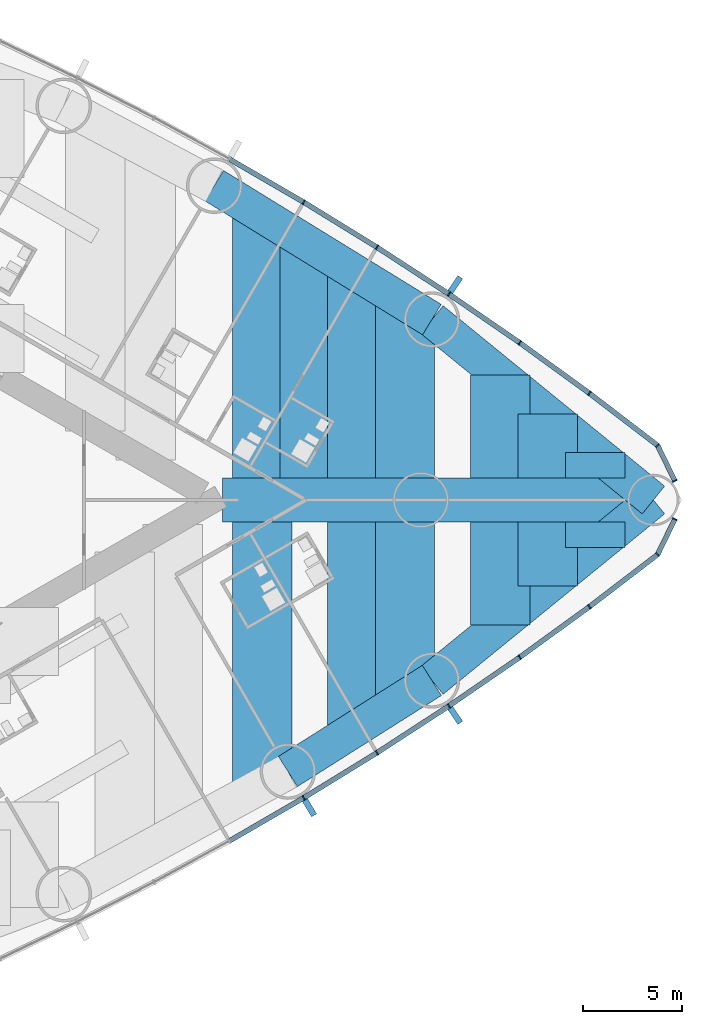
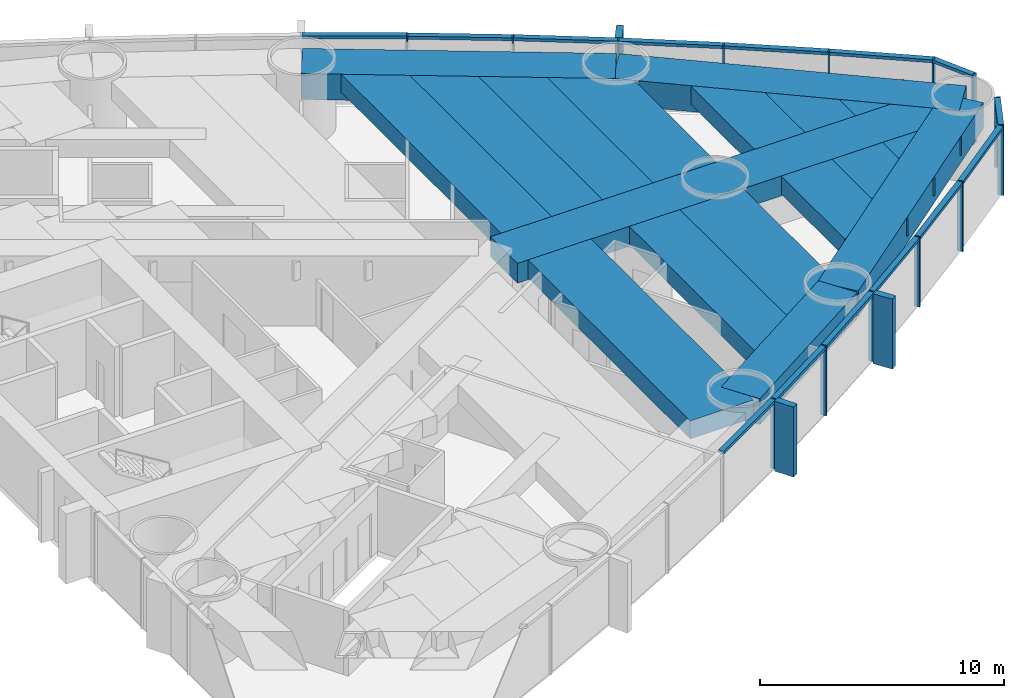
# One storey, part 8 of 19: 31 members, 18 beams, 2 elements without a shape of their own.
"""IFC4 building model written with IfcOpenShell, lengths in metres."""

from ifc_helpers import new_model, si_unit, direction, frame, origin, origin_2d, place, context, subcontext, project, spatial, rectangle, extrude, material, material_profile, profile_set, type_object, element, aggregate, save


model = new_model("IFC4")

# Units and contexts
model_context = context("Model", 3, precision=1e-05, world=origin(), true_north=direction((0.0, 1.0)))
body_context = subcontext(model_context, "Body", "Model", "MODEL_VIEW")
ifc_project = project(units=[si_unit("LENGTHUNIT", "METRE"), si_unit("AREAUNIT", "SQUARE_METRE"), si_unit("VOLUMEUNIT", "CUBIC_METRE"), si_unit("PLANEANGLEUNIT", "RADIAN"), si_unit("MASSUNIT", "GRAM", prefix="KILO")], contexts=[model_context])

# Site, building, storey
site_placement = place(None, origin())
site = spatial("IfcSite", under=ifc_project, at=site_placement, CompositionType="ELEMENT")
building_placement = place(site_placement, origin())
building = spatial("IfcBuilding", under=site, at=building_placement, Name="Lancet Gate Hotel", CompositionType="ELEMENT")
storey_placement = place(building_placement, frame((0.0, 0.0, 18.0)))
storey = spatial("IfcBuildingStorey", under=building, at=storey_placement, Name="L03", CompositionType="ELEMENT", Elevation=18.0)

# Curtain wall, members
ifc_material_1 = material(Name="Aluminium curtain wall", Category="aluminium")
curtain_wall_type = type_object("IfcCurtainWallType", Name="Tower unitised curtain wall", PredefinedType="USERDEFINED", material=ifc_material_1)
curtain_wall_1_placement = place(storey_placement, origin())
curtain_wall_1 = element("IfcCurtainWall", 1, at=curtain_wall_1_placement, inside=storey, type_object=curtain_wall_type, Name="T2 L03 curtain wall 2", ObjectType="UNITISED CURTAIN WALL", PredefinedType="USERDEFINED")
ifc_material_2 = material(Name="Aluminium mullion", Category="aluminium")
ifc_material_profile_1 = material_profile(ifc_material_2, rectangle(XDim=0.06494140625, YDim=0.25, at=origin_2d()), Name="MULLION 65x250")
ifc_profile_set_1 = profile_set([ifc_material_profile_1], Name="Aluminium mullion")
member_type_1 = type_object("IfcMemberType", Name="Aluminium mullion 65x250", PredefinedType="MULLION", material=ifc_profile_set_1)
member_1_placement = place(storey_placement, frame((55.590087890625, -15.03125, 0.0), z_axis=(0.0, 0.0, 1.0), x_axis=(0.858413008828, 0.512959166284, 0.0)))
member_1 = element("IfcMember", 2, at=member_1_placement, type_object=member_type_1, Name="T2 L03 curtain wall 2 mullion 8", PredefinedType="MULLION", context=body_context, shape_type="SweptSolid", body=[
    extrude(rectangle(XDim=0.06494140625, YDim=0.25, at=origin_2d()), origin(), (0.0, 0.0, 1.0), 3.5),
])
member_2_placement = place(storey_placement, frame((59.28515625, -12.7587890625, 0.0), z_axis=(0.0, 0.0, 1.0), x_axis=(0.845079420983, 0.534640788035, 0.0)))
member_2 = element("IfcMember", 3, at=member_2_placement, type_object=member_type_1, Name="T2 L03 curtain wall 2 mullion 9", PredefinedType="MULLION", context=body_context, shape_type="SweptSolid", body=[
    extrude(rectangle(XDim=0.06494140625, YDim=0.25, at=origin_2d()), origin(), (0.0, 0.0, 1.0), 3.5),
])
member_3_placement = place(storey_placement, frame((62.921142578125, -10.393310546875, 0.0), z_axis=(0.0, 0.0, 1.0), x_axis=(0.831198325377, 0.555976028162, 0.0)))
member_3 = element("IfcMember", 4, at=member_3_placement, type_object=member_type_1, Name="T2 L03 curtain wall 2 mullion 10", PredefinedType="MULLION", context=body_context, shape_type="SweptSolid", body=[
    extrude(rectangle(XDim=0.06494140625, YDim=0.25, at=origin_2d()), origin(), (0.0, 0.0, 1.0), 3.5),
])
member_4_placement = place(storey_placement, frame((66.49560546875, -7.935791015625, 0.0), z_axis=(0.0, 0.0, 1.0), x_axis=(0.816778715254, 0.576951064049, 0.0)))
member_4 = element("IfcMember", 5, at=member_4_placement, type_object=member_type_1, Name="T2 L03 curtain wall 2 mullion 11", PredefinedType="MULLION", context=body_context, shape_type="SweptSolid", body=[
    extrude(rectangle(XDim=0.06494140625, YDim=0.25, at=origin_2d()), origin(), (0.0, 0.0, 1.0), 3.5),
])
member_5_placement = place(storey_placement, frame((70.00634765625, -5.388427734375, 0.0), z_axis=(0.0, 0.0, 1.0), x_axis=(0.801829932754, 0.597552306447, 0.0)))
member_5 = element("IfcMember", 6, at=member_5_placement, type_object=member_type_1, Name="T2 L03 curtain wall 2 mullion 12", PredefinedType="MULLION", context=body_context, shape_type="SweptSolid", body=[
    extrude(rectangle(XDim=0.06494140625, YDim=0.25, at=origin_2d()), origin(), (0.0, 0.0, 1.0), 3.5),
])
member_6_placement = place(storey_placement, frame((73.451416015625, -2.752197265625, 0.0), z_axis=(0.0, 0.0, 1.0), x_axis=(0.697983022443, 0.716114306784, 0.0)))
member_6 = element("IfcMember", 7, at=member_6_placement, type_object=member_type_1, Name="T2 L03 curtain wall 2 mullion 13", PredefinedType="MULLION", context=body_context, shape_type="SweptSolid", body=[
    extrude(rectangle(XDim=0.06494140625, YDim=0.25, at=origin_2d()), origin(), (0.0, 0.0, 1.0), 3.5),
])
member_7_placement = place(storey_placement, frame((74.322265625, -0.96044921875, 0.0), z_axis=(0.0, 0.0, 1.0), x_axis=(0.437169070119, 0.899379343843, 0.0)))
member_7 = element("IfcMember", 8, at=member_7_placement, type_object=member_type_1, Name="T2 L03 curtain wall 2 mullion 14", PredefinedType="MULLION", context=body_context, shape_type="SweptSolid", body=[
    extrude(rectangle(XDim=0.06494140625, YDim=0.25, at=origin_2d()), origin(), (0.0, 0.0, 1.0), 3.5),
])

curtain_wall_2_placement = place(storey_placement, origin())
curtain_wall_2 = element("IfcCurtainWall", 9, at=curtain_wall_2_placement, inside=storey, type_object=curtain_wall_type, Name="T2 L03 curtain wall 3", ObjectType="UNITISED CURTAIN WALL", PredefinedType="USERDEFINED")
member_8_placement = place(storey_placement, frame((74.322265625, 0.96044921875, 0.0), z_axis=(0.0, 0.0, 1.0), x_axis=(-0.437169070119, 0.899379343843, 0.0)))
member_8 = element("IfcMember", 10, at=member_8_placement, type_object=member_type_1, Name="T2 L03 curtain wall 3 mullion 1", PredefinedType="MULLION", context=body_context, shape_type="SweptSolid", body=[
    extrude(rectangle(XDim=0.06494140625, YDim=0.25, at=origin_2d()), origin(), (0.0, 0.0, 1.0), 3.5),
])
member_9_placement = place(storey_placement, frame((73.451416015625, 2.752197265625, 0.0), z_axis=(0.0, 0.0, 1.0), x_axis=(-0.697983022443, 0.716114306784, 0.0)))
member_9 = element("IfcMember", 11, at=member_9_placement, type_object=member_type_1, Name="T2 L03 curtain wall 3 mullion 2", PredefinedType="MULLION", context=body_context, shape_type="SweptSolid", body=[
    extrude(rectangle(XDim=0.06494140625, YDim=0.25, at=origin_2d()), origin(), (0.0, 0.0, 1.0), 3.5),
])
member_10_placement = place(storey_placement, frame((70.00634765625, 5.388427734375, 0.0), z_axis=(0.0, 0.0, 1.0), x_axis=(-0.801829932754, 0.597552306447, 0.0)))
member_10 = element("IfcMember", 12, at=member_10_placement, type_object=member_type_1, Name="T2 L03 curtain wall 3 mullion 3", PredefinedType="MULLION", context=body_context, shape_type="SweptSolid", body=[
    extrude(rectangle(XDim=0.06494140625, YDim=0.25, at=origin_2d()), origin(), (0.0, 0.0, 1.0), 3.5),
])
member_11_placement = place(storey_placement, frame((66.49560546875, 7.935791015625, 0.0), z_axis=(0.0, 0.0, 1.0), x_axis=(-0.816778715254, 0.576951064049, 0.0)))
member_11 = element("IfcMember", 13, at=member_11_placement, type_object=member_type_1, Name="T2 L03 curtain wall 3 mullion 4", PredefinedType="MULLION", context=body_context, shape_type="SweptSolid", body=[
    extrude(rectangle(XDim=0.06494140625, YDim=0.25, at=origin_2d()), origin(), (0.0, 0.0, 1.0), 3.5),
])
member_12_placement = place(storey_placement, frame((62.921142578125, 10.393310546875, 0.0), z_axis=(0.0, 0.0, 1.0), x_axis=(-0.831198325377, 0.555976028162, 0.0)))
member_12 = element("IfcMember", 14, at=member_12_placement, type_object=member_type_1, Name="T2 L03 curtain wall 3 mullion 5", PredefinedType="MULLION", context=body_context, shape_type="SweptSolid", body=[
    extrude(rectangle(XDim=0.06494140625, YDim=0.25, at=origin_2d()), origin(), (0.0, 0.0, 1.0), 3.5),
])
member_13_placement = place(storey_placement, frame((59.28515625, 12.7587890625, 0.0), z_axis=(0.0, 0.0, 1.0), x_axis=(-0.845079420983, 0.534640788035, 0.0)))
member_13 = element("IfcMember", 15, at=member_13_placement, type_object=member_type_1, Name="T2 L03 curtain wall 3 mullion 6", PredefinedType="MULLION", context=body_context, shape_type="SweptSolid", body=[
    extrude(rectangle(XDim=0.06494140625, YDim=0.25, at=origin_2d()), origin(), (0.0, 0.0, 1.0), 3.5),
])
member_14_placement = place(storey_placement, frame((55.590087890625, 15.03125, 0.0), z_axis=(0.0, 0.0, 1.0), x_axis=(-0.858413008828, 0.512959166284, 0.0)))
member_14 = element("IfcMember", 16, at=member_14_placement, type_object=member_type_1, Name="T2 L03 curtain wall 3 mullion 7", PredefinedType="MULLION", context=body_context, shape_type="SweptSolid", body=[
    extrude(rectangle(XDim=0.06494140625, YDim=0.25, at=origin_2d()), origin(), (0.0, 0.0, 1.0), 3.5),
])

# Member
ifc_material_3 = material(Name="Aluminium transom", Category="aluminium")
ifc_material_profile_2 = material_profile(ifc_material_3, rectangle(XDim=0.25, YDim=0.14990234375, at=origin_2d()), Name="TRANSOM 250x150")
ifc_profile_set_2 = profile_set([ifc_material_profile_2], Name="Aluminium transom")
member_type_2 = type_object("IfcMemberType", Name="Aluminium transom 250x150", PredefinedType="USERDEFINED", material=ifc_profile_set_2)
member_15_placement = place(storey_placement, frame((51.86669921875, -17.1923828125, 3.425048828125), z_axis=(0.864854571156, 0.502022480324, 0.0), x_axis=(-0.502022480324, 0.864854571156, 0.0)))
member_15 = element("IfcMember", 17, at=member_15_placement, type_object=member_type_2, Name="T2 L03 curtain wall 2 transom 7", ObjectType="TRANSOM", PredefinedType="USERDEFINED", context=body_context, shape_type="SweptSolid", body=[
    extrude(rectangle(XDim=0.25, YDim=0.14990234375, at=origin_2d()), origin(), (0.0, 0.0, 1.0), 4.272705078125),
])

member_16_placement = place(storey_placement, frame((55.617919921875, -15.01416015625, 3.425048828125), z_axis=(0.851815224451, 0.523842365023, 0.0), x_axis=(-0.523842365023, 0.851815224451, 0.0)))
member_16 = element("IfcMember", 18, at=member_16_placement, type_object=member_type_2, Name="T2 L03 curtain wall 2 transom 8", ObjectType="TRANSOM", PredefinedType="USERDEFINED", context=body_context, shape_type="SweptSolid", body=[
    extrude(rectangle(XDim=0.25, YDim=0.14990234375, at=origin_2d()), origin(), (0.0, 0.0, 1.0), 4.272705078125),
])

member_17_placement = place(storey_placement, frame((59.3125, -12.7412109375, 3.425048828125), z_axis=(0.83817850664, 0.545395994674, 0.0), x_axis=(-0.545395994674, 0.83817850664, 0.0)))
member_17 = element("IfcMember", 19, at=member_17_placement, type_object=member_type_2, Name="T2 L03 curtain wall 2 transom 9", ObjectType="TRANSOM", PredefinedType="USERDEFINED", context=body_context, shape_type="SweptSolid", body=[
    extrude(rectangle(XDim=0.25, YDim=0.14990234375, at=origin_2d()), origin(), (0.0, 0.0, 1.0), 4.272705078125),
])

member_18_placement = place(storey_placement, frame((62.94775390625, -10.374755859375, 3.425048828125), z_axis=(0.824071932869, 0.566485171437, 0.0), x_axis=(-0.566485171437, 0.824071932869, 0.0)))
member_18 = element("IfcMember", 20, at=member_18_placement, type_object=member_type_2, Name="T2 L03 curtain wall 2 transom 10", ObjectType="TRANSOM", PredefinedType="USERDEFINED", context=body_context, shape_type="SweptSolid", body=[
    extrude(rectangle(XDim=0.25, YDim=0.14990234375, at=origin_2d()), origin(), (0.0, 0.0, 1.0), 4.272705078125),
])

member_19_placement = place(storey_placement, frame((66.52197265625, -7.916748046875, 3.425048828125), z_axis=(0.809382971085, 0.587281198505, 0.0), x_axis=(-0.587281198505, 0.809382971085, 0.0)))
member_19 = element("IfcMember", 21, at=member_19_placement, type_object=member_type_2, Name="T2 L03 curtain wall 2 transom 11", ObjectType="TRANSOM", PredefinedType="USERDEFINED", context=body_context, shape_type="SweptSolid", body=[
    extrude(rectangle(XDim=0.25, YDim=0.14990234375, at=origin_2d()), origin(), (0.0, 0.0, 1.0), 4.272705078125),
])

member_20_placement = place(storey_placement, frame((70.0322265625, -5.36865234375, 3.425048828125), z_axis=(0.794155062652, 0.607715177089, 0.0), x_axis=(-0.607715177089, 0.794155062652, 0.0)))
member_20 = element("IfcMember", 22, at=member_20_placement, type_object=member_type_2, Name="T2 L03 curtain wall 2 transom 12", ObjectType="TRANSOM", PredefinedType="USERDEFINED", context=body_context, shape_type="SweptSolid", body=[
    extrude(rectangle(XDim=0.25, YDim=0.14990234375, at=origin_2d()), origin(), (0.0, 0.0, 1.0), 4.27294921875),
])

member_21_placement = place(storey_placement, frame((73.465576171875, -2.72314453125, 3.425048828125), z_axis=(0.437103060611, 0.899411426659, 0.0), x_axis=(-0.899411426659, 0.437103060611, 0.0)))
member_21 = element("IfcMember", 23, at=member_21_placement, type_object=member_type_2, Name="T2 L03 curtain wall 2 transom 13", ObjectType="TRANSOM", PredefinedType="USERDEFINED", context=body_context, shape_type="SweptSolid", body=[
    extrude(rectangle(XDim=0.25, YDim=0.14990234375, at=origin_2d()), origin(), (0.0, 0.0, 1.0), 1.927490234375),
])

member_22_placement = place(storey_placement, frame((74.30810546875, 0.989501953125, 3.425048828125), z_axis=(-0.437103060611, 0.899411426659, 0.0), x_axis=(-0.899411426659, -0.437103060611, 0.0)))
member_22 = element("IfcMember", 24, at=member_22_placement, type_object=member_type_2, Name="T2 L03 curtain wall 3 transom 1", ObjectType="TRANSOM", PredefinedType="USERDEFINED", context=body_context, shape_type="SweptSolid", body=[
    extrude(rectangle(XDim=0.25, YDim=0.14990234375, at=origin_2d()), origin(), (0.0, 0.0, 1.0), 1.927490234375),
])

member_23_placement = place(storey_placement, frame((73.425537109375, 2.77197265625, 3.425048828125), z_axis=(-0.794155062652, 0.607715177089, 0.0), x_axis=(-0.607715177089, -0.794155062652, 0.0)))
member_23 = element("IfcMember", 25, at=member_23_placement, type_object=member_type_2, Name="T2 L03 curtain wall 3 transom 2", ObjectType="TRANSOM", PredefinedType="USERDEFINED", context=body_context, shape_type="SweptSolid", body=[
    extrude(rectangle(XDim=0.25, YDim=0.14990234375, at=origin_2d()), origin(), (0.0, 0.0, 1.0), 4.27294921875),
])

member_24_placement = place(storey_placement, frame((69.980224609375, 5.407470703125, 3.425048828125), z_axis=(-0.809382971085, 0.587281198505, 0.0), x_axis=(-0.587281198505, -0.809382971085, 0.0)))
member_24 = element("IfcMember", 26, at=member_24_placement, type_object=member_type_2, Name="T2 L03 curtain wall 3 transom 3", ObjectType="TRANSOM", PredefinedType="USERDEFINED", context=body_context, shape_type="SweptSolid", body=[
    extrude(rectangle(XDim=0.25, YDim=0.14990234375, at=origin_2d()), origin(), (0.0, 0.0, 1.0), 4.272705078125),
])

member_25_placement = place(storey_placement, frame((66.46875, 7.954345703125, 3.425048828125), z_axis=(-0.824071932869, 0.566485171437, 0.0), x_axis=(-0.566485171437, -0.824071932869, 0.0)))
member_25 = element("IfcMember", 27, at=member_25_placement, type_object=member_type_2, Name="T2 L03 curtain wall 3 transom 4", ObjectType="TRANSOM", PredefinedType="USERDEFINED", context=body_context, shape_type="SweptSolid", body=[
    extrude(rectangle(XDim=0.25, YDim=0.14990234375, at=origin_2d()), origin(), (0.0, 0.0, 1.0), 4.272705078125),
])

member_26_placement = place(storey_placement, frame((62.893798828125, 10.410888671875, 3.425048828125), z_axis=(-0.83817850664, 0.545395994674, 0.0), x_axis=(-0.545395994674, -0.83817850664, 0.0)))
member_26 = element("IfcMember", 28, at=member_26_placement, type_object=member_type_2, Name="T2 L03 curtain wall 3 transom 5", ObjectType="TRANSOM", PredefinedType="USERDEFINED", context=body_context, shape_type="SweptSolid", body=[
    extrude(rectangle(XDim=0.25, YDim=0.14990234375, at=origin_2d()), origin(), (0.0, 0.0, 1.0), 4.272705078125),
])

member_27_placement = place(storey_placement, frame((59.257568359375, 12.77587890625, 3.425048828125), z_axis=(-0.851815224451, 0.523842365023, 0.0), x_axis=(-0.523842365023, -0.851815224451, 0.0)))
member_27 = element("IfcMember", 29, at=member_27_placement, type_object=member_type_2, Name="T2 L03 curtain wall 3 transom 6", ObjectType="TRANSOM", PredefinedType="USERDEFINED", context=body_context, shape_type="SweptSolid", body=[
    extrude(rectangle(XDim=0.25, YDim=0.14990234375, at=origin_2d()), origin(), (0.0, 0.0, 1.0), 4.272705078125),
])

member_28_placement = place(storey_placement, frame((55.56201171875, 15.04736328125, 3.425048828125), z_axis=(-0.864854571156, 0.502022480324, 0.0), x_axis=(-0.502022480324, -0.864854571156, 0.0)))
member_28 = element("IfcMember", 30, at=member_28_placement, type_object=member_type_2, Name="T2 L03 curtain wall 3 transom 7", ObjectType="TRANSOM", PredefinedType="USERDEFINED", context=body_context, shape_type="SweptSolid", body=[
    extrude(rectangle(XDim=0.25, YDim=0.14990234375, at=origin_2d()), origin(), (0.0, 0.0, 1.0), 4.272705078125),
])

# Beams
ifc_material_4 = material(Name="Concrete C50/60", Category="concrete")
ifc_material_profile_3 = material_profile(ifc_material_4, rectangle(XDim=1.800048828125, YDim=1.300048828125, at=origin_2d()), Name="RC 1800x1300")
ifc_profile_set_3 = profile_set([ifc_material_profile_3], Name="Concrete C50/60")
beam_type_1 = type_object("IfcBeamType", Name="Edge beam RC 1800x1300", PredefinedType="SPANDREL", material=ifc_profile_set_3)
beam_1_placement = place(storey_placement, frame((54.795166015625, -13.70068359375, 2.60009765625), z_axis=(0.845078312276, 0.534642540508, 0.0), x_axis=(-0.534642540508, 0.845078312276, 0.0)))
element("IfcBeam", 31, at=beam_1_placement, inside=storey, type_object=beam_type_1, Name="T2 edge beam EB1 L03", PredefinedType="SPANDREL", context=body_context, shape_type="SweptSolid", body=[
    extrude(rectangle(XDim=1.800048828125, YDim=1.300048828125, at=origin_2d()), origin(), (0.0, 0.0, 1.0), 8.595947265625),
])
for number, where, z_axis, x_axis, name in (
    (32, (62.059326171875, -9.10498046875, 2.60009765625), (0.775390970005, 0.631481467372, 0.0), (-0.631481467372, 0.775390970005, 0.0), "T2 edge beam EB1 L03"),
    (33, (73.2392578125, 0.0, 2.60009765625), (-0.775390970005, 0.631481467372, 0.0), (-0.631481467372, -0.775390970005, 0.0), "T2 edge beam EB1 L03"),
):
    element("IfcBeam", number, at=place(storey_placement, frame(where, z_axis=z_axis, x_axis=x_axis)), inside=storey, type_object=beam_type_1, Name=name, PredefinedType="SPANDREL", context=body_context, shape_type="SweptSolid", body=[
        extrude(rectangle(XDim=1.800048828125, YDim=1.300048828125, at=origin_2d()), origin(), (0.0, 0.0, 1.0), 14.41845703125),
    ])
beam_2_placement = place(storey_placement, frame((62.059326171875, 9.10498046875, 2.60009765625), z_axis=(-0.851815628025, 0.523841708775, 0.0), x_axis=(-0.523841708775, -0.851815628025, 0.0)))
element("IfcBeam", 34, at=beam_2_placement, inside=storey, type_object=beam_type_1, Name="T2 edge beam EB1 L03", PredefinedType="SPANDREL", context=body_context, shape_type="SweptSolid", body=[
    extrude(rectangle(XDim=1.800048828125, YDim=1.300048828125, at=origin_2d()), origin(), (0.0, 0.0, 1.0), 12.89208984375),
])

# Member
ifc_material_5 = material(Name="Precast concrete C50/60", Category="concrete")
ifc_material_profile_4 = material_profile(ifc_material_5, rectangle(XDim=0.300048828125, YDim=0.89990234375, at=origin_2d()), Name="FIN 300x900")
ifc_profile_set_4 = profile_set([ifc_material_profile_4], Name="Precast concrete C50/60")
member_type_3 = type_object("IfcMemberType", Name="Exposed concrete fin 300x900", PredefinedType="USERDEFINED", material=ifc_profile_set_4)
member_29_placement = place(storey_placement, frame((55.88525390625, -15.524658203125, 0.0), z_axis=(0.0, 0.0, 1.0), x_axis=(0.858413008828, 0.512959166284, 0.0)))
member_29 = element("IfcMember", 35, at=member_29_placement, type_object=member_type_3, Name="T2 L03 curtain wall 2 fin 8", ObjectType="FIN", PredefinedType="USERDEFINED", context=body_context, shape_type="SweptSolid", body=[
    extrude(rectangle(XDim=0.300048828125, YDim=0.89990234375, at=origin_2d()), origin(), (0.0, 0.0, 1.0), 3.5),
])

member_30_placement = place(storey_placement, frame((63.24072265625, -10.87109375, 0.0), z_axis=(0.0, 0.0, 1.0), x_axis=(0.831198325377, 0.555976028162, 0.0)))
member_30 = element("IfcMember", 36, at=member_30_placement, type_object=member_type_3, Name="T2 L03 curtain wall 2 fin 10", ObjectType="FIN", PredefinedType="USERDEFINED", context=body_context, shape_type="SweptSolid", body=[
    extrude(rectangle(XDim=0.300048828125, YDim=0.89990234375, at=origin_2d()), origin(), (0.0, 0.0, 1.0), 3.5),
])

aggregate(curtain_wall_1, [member_1, member_29, member_2, member_3, member_30, member_4, member_5, member_6, member_7, member_15, member_16, member_17, member_18, member_19, member_20, member_21])

member_31_placement = place(storey_placement, frame((63.24072265625, 10.87109375, 0.0), z_axis=(0.0, 0.0, 1.0), x_axis=(-0.831198325377, 0.555976028162, 0.0)))
member_31 = element("IfcMember", 37, at=member_31_placement, type_object=member_type_3, Name="T2 L03 curtain wall 3 fin 5", ObjectType="FIN", PredefinedType="USERDEFINED", context=body_context, shape_type="SweptSolid", body=[
    extrude(rectangle(XDim=0.300048828125, YDim=0.89990234375, at=origin_2d()), origin(), (0.0, 0.0, 1.0), 3.5),
])

aggregate(curtain_wall_2, [member_8, member_9, member_10, member_11, member_12, member_31, member_13, member_14, member_22, member_23, member_24, member_25, member_26, member_27, member_28])

# Beams
ifc_material_6 = material(Name="Concrete C50/60", Category="concrete")
ifc_material_profile_5 = material_profile(ifc_material_6, rectangle(XDim=3.0, YDim=0.89990234375, at=origin_2d()), Name="RC 3000x900")
ifc_profile_set_5 = profile_set([ifc_material_profile_5], Name="Concrete C50/60")
beam_type_2 = type_object("IfcBeamType", Name="Floor beam RC 3000x900", PredefinedType="BEAM", material=ifc_profile_set_5)
beam_3_placement = place(storey_placement, frame((53.502197265625, -14.40771484375, 2.800048828125), z_axis=(0.0, 1.0, 0.0), x_axis=(-1.0, 0.0, 0.0)))
element("IfcBeam", 38, at=beam_3_placement, inside=storey, type_object=beam_type_2, Name="T2 floor beam F16S L03", PredefinedType="BEAM", context=body_context, shape_type="SweptSolid", body=[
    extrude(rectangle(XDim=3.0, YDim=0.89990234375, at=origin_2d()), origin(), (0.0, 0.0, 1.0), 13.3076171875),
])
beam_4_placement = place(storey_placement, frame((53.502197265625, 1.10009765625, 2.800048828125), z_axis=(0.0, 1.0, 0.0), x_axis=(-1.0, 0.0, 0.0)))
element("IfcBeam", 39, at=beam_4_placement, inside=storey, type_object=beam_type_2, Name="T2 floor beam F17N L03", PredefinedType="BEAM", context=body_context, shape_type="SweptSolid", body=[
    extrude(rectangle(XDim=3.0, YDim=0.89990234375, at=origin_2d()), origin(), (0.0, 0.0, 1.0), 13.26708984375),
])
beam_5_placement = place(storey_placement, frame((55.90234375, 1.10009765625, 2.800048828125), z_axis=(0.0, 1.0, 0.0), x_axis=(-1.0, 0.0, 0.0)))
element("IfcBeam", 40, at=beam_5_placement, inside=storey, type_object=beam_type_2, Name="T2 floor beam F18N L03", PredefinedType="BEAM", context=body_context, shape_type="SweptSolid", body=[
    extrude(rectangle(XDim=3.0, YDim=0.89990234375, at=origin_2d()), origin(), (0.0, 0.0, 1.0), 11.791259765625),
])
beam_6_placement = place(storey_placement, frame((58.30224609375, -11.48193359375, 2.800048828125), z_axis=(0.0, 1.0, 0.0), x_axis=(-1.0, 0.0, 0.0)))
element("IfcBeam", 41, at=beam_6_placement, inside=storey, type_object=beam_type_2, Name="T2 floor beam F19S L03", PredefinedType="BEAM", context=body_context, shape_type="SweptSolid", body=[
    extrude(rectangle(XDim=3.0, YDim=0.89990234375, at=origin_2d()), origin(), (0.0, 0.0, 1.0), 10.3818359375),
])
beam_7_placement = place(storey_placement, frame((58.30224609375, 1.10009765625, 2.800048828125), z_axis=(0.0, 1.0, 0.0), x_axis=(-1.0, 0.0, 0.0)))
element("IfcBeam", 42, at=beam_7_placement, inside=storey, type_object=beam_type_2, Name="T2 floor beam F20N L03", PredefinedType="BEAM", context=body_context, shape_type="SweptSolid", body=[
    extrude(rectangle(XDim=3.0, YDim=0.89990234375, at=origin_2d()), origin(), (0.0, 0.0, 1.0), 10.3154296875),
])
beam_8_placement = place(storey_placement, frame((60.7021484375, -9.96337890625, 2.800048828125), z_axis=(0.0, 1.0, 0.0), x_axis=(-1.0, 0.0, 0.0)))
element("IfcBeam", 43, at=beam_8_placement, inside=storey, type_object=beam_type_2, Name="T2 floor beam F21S L03", PredefinedType="BEAM", context=body_context, shape_type="SweptSolid", body=[
    extrude(rectangle(XDim=3.0, YDim=0.89990234375, at=origin_2d()), origin(), (0.0, 0.0, 1.0), 8.86328125),
])
beam_9_placement = place(storey_placement, frame((60.7021484375, 1.10009765625, 2.800048828125), z_axis=(0.0, 1.0, 0.0), x_axis=(-1.0, 0.0, 0.0)))
element("IfcBeam", 44, at=beam_9_placement, inside=storey, type_object=beam_type_2, Name="T2 floor beam F22N L03", PredefinedType="BEAM", context=body_context, shape_type="SweptSolid", body=[
    extrude(rectangle(XDim=3.0, YDim=0.89990234375, at=origin_2d()), origin(), (0.0, 0.0, 1.0), 8.83935546875),
])
for number, where, z_axis, x_axis, name in (
    (45, (65.502197265625, -6.301025390625, 2.800048828125), (0.0, 1.0, 0.0), (-1.0, 0.0, 0.0), "T2 floor beam F23S L03"),
    (46, (65.502197265625, 1.10009765625, 2.800048828125), (0.0, 1.0, 0.0), (-1.0, 0.0, 0.0), "T2 floor beam F24N L03"),
):
    element("IfcBeam", number, at=place(storey_placement, frame(where, z_axis=z_axis, x_axis=x_axis)), inside=storey, type_object=beam_type_2, Name=name, PredefinedType="BEAM", context=body_context, shape_type="SweptSolid", body=[
        extrude(rectangle(XDim=3.0, YDim=0.89990234375, at=origin_2d()), origin(), (0.0, 0.0, 1.0), 5.200927734375),
    ])
for number, where, z_axis, x_axis, name in (
    (47, (67.90234375, -4.346435546875, 2.800048828125), (0.0, 1.0, 0.0), (-1.0, 0.0, 0.0), "T2 floor beam F25S L03"),
    (48, (67.90234375, 1.10009765625, 2.800048828125), (0.0, 1.0, 0.0), (-1.0, 0.0, 0.0), "T2 floor beam F26N L03"),
):
    element("IfcBeam", number, at=place(storey_placement, frame(where, z_axis=z_axis, x_axis=x_axis)), inside=storey, type_object=beam_type_2, Name=name, PredefinedType="BEAM", context=body_context, shape_type="SweptSolid", body=[
        extrude(rectangle(XDim=3.0, YDim=0.89990234375, at=origin_2d()), origin(), (0.0, 0.0, 1.0), 3.246337890625),
    ])
for number, where, z_axis, x_axis, name in (
    (49, (70.30224609375, -2.391845703125, 2.800048828125), (0.0, 1.0, 0.0), (-1.0, 0.0, 0.0), "T2 floor beam F27S L03"),
    (50, (70.30224609375, 1.10009765625, 2.800048828125), (0.0, 1.0, 0.0), (-1.0, 0.0, 0.0), "T2 floor beam F28N L03"),
):
    element("IfcBeam", number, at=place(storey_placement, frame(where, z_axis=z_axis, x_axis=x_axis)), inside=storey, type_object=beam_type_2, Name=name, PredefinedType="BEAM", context=body_context, shape_type="SweptSolid", body=[
        extrude(rectangle(XDim=3.0, YDim=0.89990234375, at=origin_2d()), origin(), (0.0, 0.0, 1.0), 1.291748046875),
    ])
ifc_material_7 = material(Name="Concrete C50/60", Category="concrete")
ifc_material_profile_6 = material_profile(ifc_material_7, rectangle(XDim=2.199951171875, YDim=1.0, at=origin_2d()), Name="RC 2200x1000")
ifc_profile_set_6 = profile_set([ifc_material_profile_6], Name="Concrete C50/60")
beam_type_3 = type_object("IfcBeamType", Name="Radial floor beam RC 2200x1000", PredefinedType="BEAM", material=ifc_profile_set_6)
beam_10_placement = place(storey_placement, frame((73.2392578125, 0.0, 2.75), z_axis=(-1.0, 0.0, 0.0), x_axis=(0.0, -1.0, 0.0)))
element("IfcBeam", 51, at=beam_10_placement, inside=storey, type_object=beam_type_3, Name="T2 radial beam CA L03", PredefinedType="BEAM", context=body_context, shape_type="SweptSolid", body=[
    extrude(rectangle(XDim=2.199951171875, YDim=1.0, at=origin_2d()), origin(), (0.0, 0.0, 1.0), 21.737060546875),
])

save(model, "model.ifc")
